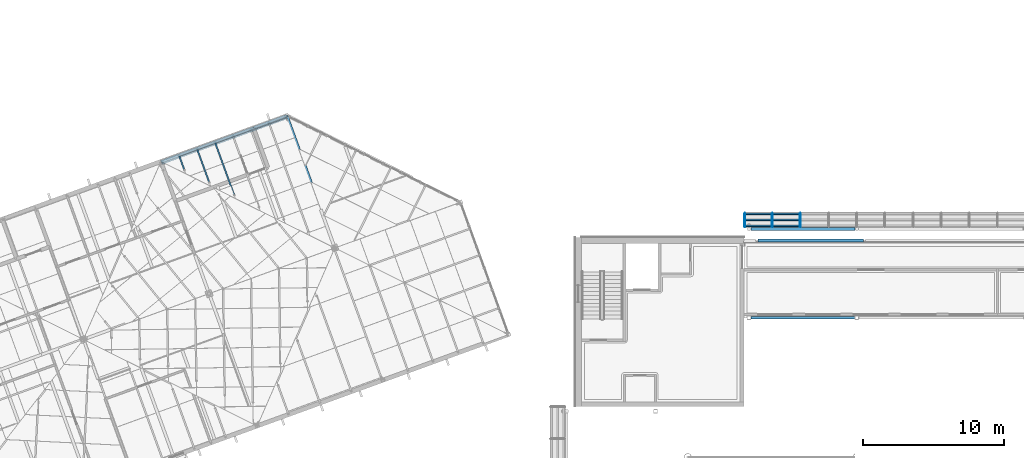
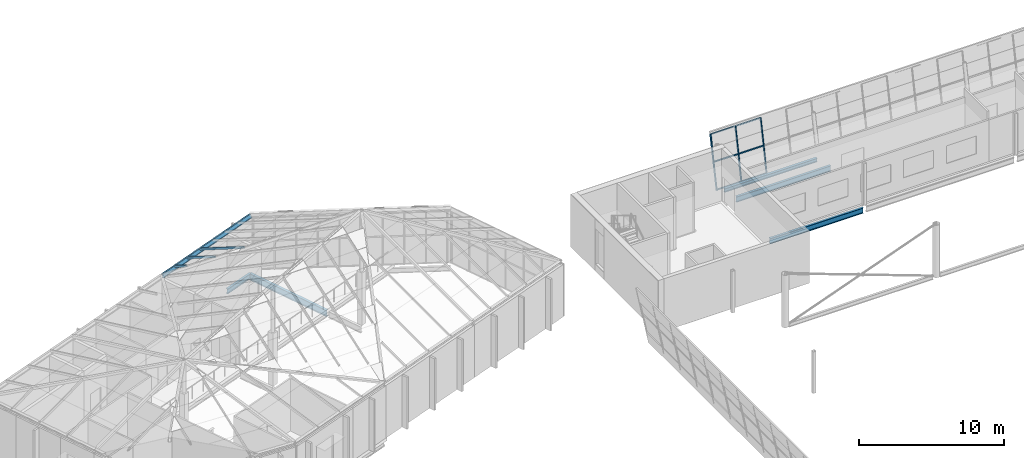
# One storey, part 25 of 95: 12 members, 6 beams, 1 element without a shape of its own.
"""IFC4 building model written with IfcOpenShell, lengths in metres."""

from ifc_helpers import new_model, si_unit, direction, frame, origin, origin_2d, place, context, subcontext, project, spatial, rectangle, hollow_rectangle, i_section, extrude, material, layer, layer_set, material_profile, profile_set, type_object, element, aggregate, save


model = new_model("IFC4")

# Units and contexts
model_context = context("Model", 3, precision=1e-05, world=origin(), true_north=direction((0.0, 1.0)))
body_context = subcontext(model_context, "Body", "Model", "MODEL_VIEW")
ifc_project = project(units=[si_unit("LENGTHUNIT", "METRE"), si_unit("AREAUNIT", "SQUARE_METRE"), si_unit("VOLUMEUNIT", "CUBIC_METRE"), si_unit("PLANEANGLEUNIT", "RADIAN"), si_unit("MASSUNIT", "GRAM", prefix="KILO")], contexts=[model_context])

# Site, building, storey
site_placement = place(None, origin())
site = spatial("IfcSite", under=ifc_project, at=site_placement, CompositionType="ELEMENT")
building_placement = place(site_placement, origin())
building = spatial("IfcBuilding", under=site, at=building_placement, Name="Windward Yard Aquatics Centre", CompositionType="ELEMENT")
storey_placement = place(building_placement, frame((0.0, 0.0, 9.39990234375)))
storey = spatial("IfcBuildingStorey", under=building, at=storey_placement, Name="L02", CompositionType="ELEMENT", Elevation=9.39990234375)

# Members
ifc_material_1 = material(Name="Steel S355", Category="steel")
ifc_material_profile_1 = material_profile(ifc_material_1, hollow_rectangle(XDim=0.10009765625, YDim=0.14990234375, WallThickness=0.006103515625, at=origin_2d()), Name="RHS150x100x6")
ifc_profile_set_1 = profile_set([ifc_material_profile_1], Name="Steel S355")
member_type_1 = type_object("IfcMemberType", Name="F RHS150x100x6 rafter", PredefinedType="RAFTER", material=ifc_profile_set_1)
member_1_placement = place(storey_placement, frame((23.87158203125, 101.815673828125, 4.650146484375), z_axis=(0.307706869998, -0.84548998789, 0.436420854834), x_axis=(0.939702021732, 0.341994313333, 0.0)))
element("IfcMember", 1, at=member_1_placement, inside=storey, type_object=member_type_1, Name="F.RF.R.05.01", PredefinedType="RAFTER", context=body_context, shape_type="SweptSolid", body=[
    extrude(hollow_rectangle(XDim=0.10009765625, YDim=0.14990234375, WallThickness=0.006103515625, at=origin_2d()), origin(), (0.0, 0.0, 1.0), 1.2138671875),
])
member_2_placement = place(storey_placement, frame((25.14697265625, 102.27978515625, 4.650146484375), z_axis=(0.307732853325, -0.845481202907, 0.436419553314), x_axis=(0.939691598517, 0.342022951975, 0.0)))
element("IfcMember", 2, at=member_2_placement, inside=storey, type_object=member_type_1, Name="F.RF.R.05.02", PredefinedType="RAFTER", context=body_context, shape_type="SweptSolid", body=[
    extrude(hollow_rectangle(XDim=0.10009765625, YDim=0.14990234375, WallThickness=0.006103515625, at=origin_2d()), origin(), (0.0, 0.0, 1.0), 2.802001953125),
])
member_3_placement = place(storey_placement, frame((26.42236328125, 102.743896484375, 4.650146484375), z_axis=(0.307702909501, -0.845492464975, 0.436418848305), x_axis=(0.939703758344, 0.341989541586, 0.0)))
element("IfcMember", 3, at=member_3_placement, inside=storey, type_object=member_type_1, Name="F.RF.R.05.03", PredefinedType="RAFTER", context=body_context, shape_type="SweptSolid", body=[
    extrude(hollow_rectangle(XDim=0.10009765625, YDim=0.14990234375, WallThickness=0.006103515625, at=origin_2d()), origin(), (0.0, 0.0, 1.0), 4.41943359375),
])

# Beams
ifc_material_profile_2 = material_profile(ifc_material_1, i_section(OverallWidth=0.202880859375, OverallDepth=0.302001953125, WebThickness=0.007568359375, FlangeThickness=0.01318359375, at=origin_2d()), Name="W310x60")
ifc_profile_set_2 = profile_set([ifc_material_profile_2], Name="Steel S355")
beam_type_1 = type_object("IfcBeamType", Name="F W310x60 beam", PredefinedType="BEAM", material=ifc_profile_set_2)
beam_1_placement = place(storey_placement, frame((31.534912109375, 104.5693359375, 4.581787109375), z_axis=(-0.939700347943, -0.341998912389, 0.0), x_axis=(0.307717102338, -0.845505227238, 0.436384114791)))
element("IfcBeam", 4, at=beam_1_placement, inside=storey, type_object=beam_type_1, Name="F.RF.E.19", PredefinedType="BEAM", context=body_context, shape_type="SweptSolid", body=[
    extrude(i_section(OverallWidth=0.202880859375, OverallDepth=0.302001953125, WebThickness=0.007568359375, FlangeThickness=0.01318359375, at=origin_2d()), origin(), (0.0, 0.0, 1.0), 9.5),
])
ifc_material_profile_3 = material_profile(ifc_material_1, i_section(OverallWidth=0.180908203125, OverallDepth=0.4169921875, WebThickness=0.010986328125, FlangeThickness=0.018310546875, at=origin_2d()), Name="W410x85")
ifc_profile_set_3 = profile_set([ifc_material_profile_3], Name="Steel S355")
beam_type_2 = type_object("IfcBeamType", Name="F W410x85 beam", PredefinedType="BEAM", material=ifc_profile_set_3)
beam_2_placement = place(storey_placement, frame((31.5068359375, 104.64599609375, -0.48828125), z_axis=(-0.939701781882, -0.341994972371, 0.0), x_axis=(0.341994972371, -0.939701781882, 0.0)))
element("IfcBeam", 5, at=beam_2_placement, inside=storey, type_object=beam_type_2, Name="F.BM.L02.R04", PredefinedType="BEAM", context=body_context, shape_type="SweptSolid", body=[
    extrude(i_section(OverallWidth=0.180908203125, OverallDepth=0.4169921875, WebThickness=0.010986328125, FlangeThickness=0.018310546875, at=origin_2d()), origin(), (0.0, 0.0, 1.0), 2.489990234375),
])
ifc_material_profile_4 = material_profile(ifc_material_1, i_section(OverallWidth=0.208984375, OverallDepth=0.532958984375, WebThickness=0.01025390625, FlangeThickness=0.015625, at=origin_2d()), Name="W530x92")
ifc_profile_set_4 = profile_set([ifc_material_profile_4], Name="Steel S355")
beam_type_3 = type_object("IfcBeamType", Name="F W530x92 beam", PredefinedType="BEAM", material=ifc_profile_set_4)
beam_3_placement = place(storey_placement, frame((33.8701171875, 98.1533203125, -0.54638671875), z_axis=(-0.342038102338, 0.939686084046, 0.0), x_axis=(-0.939686084046, -0.342038102338, 0.0)))
element("IfcBeam", 6, at=beam_3_placement, inside=storey, type_object=beam_type_3, Name="F.BM.L02.P07", PredefinedType="BEAM", context=body_context, shape_type="SweptSolid", body=[
    extrude(i_section(OverallWidth=0.208984375, OverallDepth=0.532958984375, WebThickness=0.01025390625, FlangeThickness=0.015625, at=origin_2d()), origin(), (0.0, 0.0, 1.0), 6.909423828125),
])

# Curtain wall, members
ifc_material_2 = material(Name="Glass and aluminium curtain wall", Category="aluminium")
ifc_layer = layer(ifc_material_2, 0.179931640625)
ifc_layer_set = layer_set([ifc_layer], Name="H curtain wall tier 1 double glazed 8+16+8")
curtain_wall_type = type_object("IfcCurtainWallType", Name="H curtain wall tier 1 double glazed 8+16+8", PredefinedType="NOTDEFINED", material=ifc_layer_set)
curtain_wall_placement = place(storey_placement, origin())
curtain_wall = element("IfcCurtainWall", 7, at=curtain_wall_placement, inside=storey, type_object=curtain_wall_type, Name="Tier 1 glazing N L02", PredefinedType="NOTDEFINED")
ifc_material_3 = material(Name="Aluminium 6063-T6 anodised", Category="aluminium")
ifc_material_profile_5 = material_profile(ifc_material_3, rectangle(XDim=0.06494140625, YDim=0.179931640625, at=origin_2d()), Name="H CW mullion 65x180")
ifc_profile_set_5 = profile_set([ifc_material_profile_5], Name="Aluminium 6063-T6 anodised")
member_type_2 = type_object("IfcMemberType", Name="H CW mullion 65x180", PredefinedType="MULLION", material=ifc_profile_set_5)
member_4_placement = place(storey_placement, frame((64.032470703125, 96.803466796875, 0.0), z_axis=(0.0, 0.199322032497, 0.979934042352), x_axis=(-1.0, 0.0, 0.0)))
member_4 = element("IfcMember", 8, at=member_4_placement, type_object=member_type_2, Name="G1NA mullion 1", PredefinedType="MULLION", context=body_context, shape_type="SweptSolid", body=[
    extrude(rectangle(XDim=0.06494140625, YDim=0.179931640625, at=origin_2d()), origin(), (0.0, 0.0, 1.0), 4.31884765625),
])
member_5_placement = place(storey_placement, frame((65.999755859375, 96.803466796875, 0.0), z_axis=(0.0, 0.199322032497, 0.979934042352), x_axis=(-1.0, 0.0, 0.0)))
member_5 = element("IfcMember", 9, at=member_5_placement, type_object=member_type_2, Name="G1NA mullion 2", PredefinedType="MULLION", context=body_context, shape_type="SweptSolid", body=[
    extrude(rectangle(XDim=0.06494140625, YDim=0.179931640625, at=origin_2d()), origin(), (0.0, 0.0, 1.0), 4.31884765625),
])
member_6_placement = place(storey_placement, frame((67.99951171875, 96.803466796875, 0.0), z_axis=(0.0, 0.199322032497, 0.979934042352), x_axis=(-1.0, 0.0, 0.0)))
member_6 = element("IfcMember", 10, at=member_6_placement, type_object=member_type_2, Name="G1NA mullion 3", PredefinedType="MULLION", context=body_context, shape_type="SweptSolid", body=[
    extrude(rectangle(XDim=0.06494140625, YDim=0.179931640625, at=origin_2d()), origin(), (0.0, 0.0, 1.0), 4.31884765625),
])
ifc_material_profile_6 = material_profile(ifc_material_3, rectangle(XDim=0.06494140625, YDim=0.10009765625, at=origin_2d()), Name="H CW transom 65x100")
ifc_profile_set_6 = profile_set([ifc_material_profile_6], Name="Aluminium 6063-T6 anodised")
member_type_3 = type_object("IfcMemberType", Name="H CW transom 65x100", PredefinedType="USERDEFINED", material=ifc_profile_set_6)
member_7_placement = place(storey_placement, frame((64.06494140625, 96.813232421875, 0.049072265625), z_axis=(1.0, 0.0, 0.0), x_axis=(0.0, -0.9799247046, 0.19936793452)))
member_7 = element("IfcMember", 11, at=member_7_placement, type_object=member_type_3, Name="G1NA transom 1.1", ObjectType="TRANSOM", PredefinedType="USERDEFINED", context=body_context, shape_type="SweptSolid", body=[
    extrude(rectangle(XDim=0.06494140625, YDim=0.10009765625, at=origin_2d()), origin(), (0.0, 0.0, 1.0), 1.90234375),
])
member_8_placement = place(storey_placement, frame((64.06494140625, 97.235595703125, 2.125), z_axis=(1.0, 0.0, 0.0), x_axis=(0.0, -0.9799247046, 0.19936793452)))
member_8 = element("IfcMember", 12, at=member_8_placement, type_object=member_type_3, Name="G1NA transom 1.2", ObjectType="TRANSOM", PredefinedType="USERDEFINED", context=body_context, shape_type="SweptSolid", body=[
    extrude(rectangle(XDim=0.06494140625, YDim=0.10009765625, at=origin_2d()), origin(), (0.0, 0.0, 1.0), 1.90234375),
])
member_9_placement = place(storey_placement, frame((64.06494140625, 97.65673828125, 4.194580078125), z_axis=(1.0, 0.0, 0.0), x_axis=(0.0, -0.9799247046, 0.19936793452)))
member_9 = element("IfcMember", 13, at=member_9_placement, type_object=member_type_3, Name="G1NA transom 1.3", ObjectType="TRANSOM", PredefinedType="USERDEFINED", context=body_context, shape_type="SweptSolid", body=[
    extrude(rectangle(XDim=0.06494140625, YDim=0.10009765625, at=origin_2d()), origin(), (0.0, 0.0, 1.0), 1.90234375),
])
member_10_placement = place(storey_placement, frame((66.0322265625, 96.813232421875, 0.049072265625), z_axis=(1.0, 0.0, 0.0), x_axis=(0.0, -0.9799247046, 0.19936793452)))
member_10 = element("IfcMember", 14, at=member_10_placement, type_object=member_type_3, Name="G1NA transom 2.1", ObjectType="TRANSOM", PredefinedType="USERDEFINED", context=body_context, shape_type="SweptSolid", body=[
    extrude(rectangle(XDim=0.06494140625, YDim=0.10009765625, at=origin_2d()), origin(), (0.0, 0.0, 1.0), 1.934814453125),
])
member_11_placement = place(storey_placement, frame((66.0322265625, 97.235595703125, 2.125), z_axis=(1.0, 0.0, 0.0), x_axis=(0.0, -0.9799247046, 0.19936793452)))
member_11 = element("IfcMember", 15, at=member_11_placement, type_object=member_type_3, Name="G1NA transom 2.2", ObjectType="TRANSOM", PredefinedType="USERDEFINED", context=body_context, shape_type="SweptSolid", body=[
    extrude(rectangle(XDim=0.06494140625, YDim=0.10009765625, at=origin_2d()), origin(), (0.0, 0.0, 1.0), 1.934814453125),
])
member_12_placement = place(storey_placement, frame((66.0322265625, 97.65673828125, 4.194580078125), z_axis=(1.0, 0.0, 0.0), x_axis=(0.0, -0.9799247046, 0.19936793452)))
member_12 = element("IfcMember", 16, at=member_12_placement, type_object=member_type_3, Name="G1NA transom 2.3", ObjectType="TRANSOM", PredefinedType="USERDEFINED", context=body_context, shape_type="SweptSolid", body=[
    extrude(rectangle(XDim=0.06494140625, YDim=0.10009765625, at=origin_2d()), origin(), (0.0, 0.0, 1.0), 1.934814453125),
])
aggregate(curtain_wall, [member_4, member_5, member_6, member_7, member_8, member_9, member_10, member_11, member_12])

# Beams
ifc_material_4 = material(Name="Steel ASTM A992 Gr 50", Category="steel")
ifc_material_profile_7 = material_profile(ifc_material_4, i_section(OverallWidth=0.19091796875, OverallDepth=0.45703125, WebThickness=0.009033203125, FlangeThickness=0.014404296875, at=origin_2d()), Name="W460X74")
ifc_profile_set_7 = profile_set([ifc_material_profile_7], Name="Steel ASTM A992 Gr 50")
beam_type_4 = type_object("IfcBeamType", Name="H gallery edge beam W460X74", PredefinedType="BEAM", material=ifc_profile_set_7)
beam_4_placement = place(storey_placement, frame((64.976318359375, 95.77490234375, -0.428466796875), z_axis=(1.0, 0.0, 0.0), x_axis=(0.0, 1.0, 0.0)))
element("IfcBeam", 17, at=beam_4_placement, inside=storey, type_object=beam_type_4, Name="H.GB.N.O2", PredefinedType="BEAM", context=body_context, shape_type="SweptSolid", body=[
    extrude(i_section(OverallWidth=0.19091796875, OverallDepth=0.45703125, WebThickness=0.009033203125, FlangeThickness=0.014404296875, at=origin_2d()), origin(), (0.0, 0.0, 1.0), 7.49755859375),
])
beam_5_placement = place(storey_placement, frame((64.47705078125, 90.290283203125, -0.428466796875), z_axis=(1.0, 0.0, 0.0), x_axis=(0.0, 1.0, 0.0)))
element("IfcBeam", 18, at=beam_5_placement, inside=storey, type_object=beam_type_4, Name="H.GB.N.I1", PredefinedType="BEAM", context=body_context, shape_type="SweptSolid", body=[
    extrude(i_section(OverallWidth=0.19091796875, OverallDepth=0.45703125, WebThickness=0.009033203125, FlangeThickness=0.014404296875, at=origin_2d()), origin(), (0.0, 0.0, 1.0), 7.39599609375),
])
ifc_material_profile_8 = material_profile(ifc_material_4, i_section(OverallWidth=0.202880859375, OverallDepth=0.302001953125, WebThickness=0.007568359375, FlangeThickness=0.01318359375, at=origin_2d()), Name="W310X60")
ifc_profile_set_8 = profile_set([ifc_material_profile_8], Name="Steel ASTM A992 Gr 50")
beam_type_5 = type_object("IfcBeamType", Name="H tier ring beam W310X60", PredefinedType="BEAM", material=ifc_profile_set_8)
beam_6_placement = place(storey_placement, frame((64.486572265625, 96.59521484375, 0.0), z_axis=(1.0, 0.0, 0.0), x_axis=(0.0, 1.0, 0.0)))
element("IfcBeam", 19, at=beam_6_placement, inside=storey, type_object=beam_type_5, Name="H.RG.N1.1", PredefinedType="BEAM", context=body_context, shape_type="SweptSolid", body=[
    extrude(i_section(OverallWidth=0.202880859375, OverallDepth=0.302001953125, WebThickness=0.007568359375, FlangeThickness=0.01318359375, at=origin_2d()), origin(), (0.0, 0.0, 1.0), 7.376953125),
])

save(model, "model.ifc")
